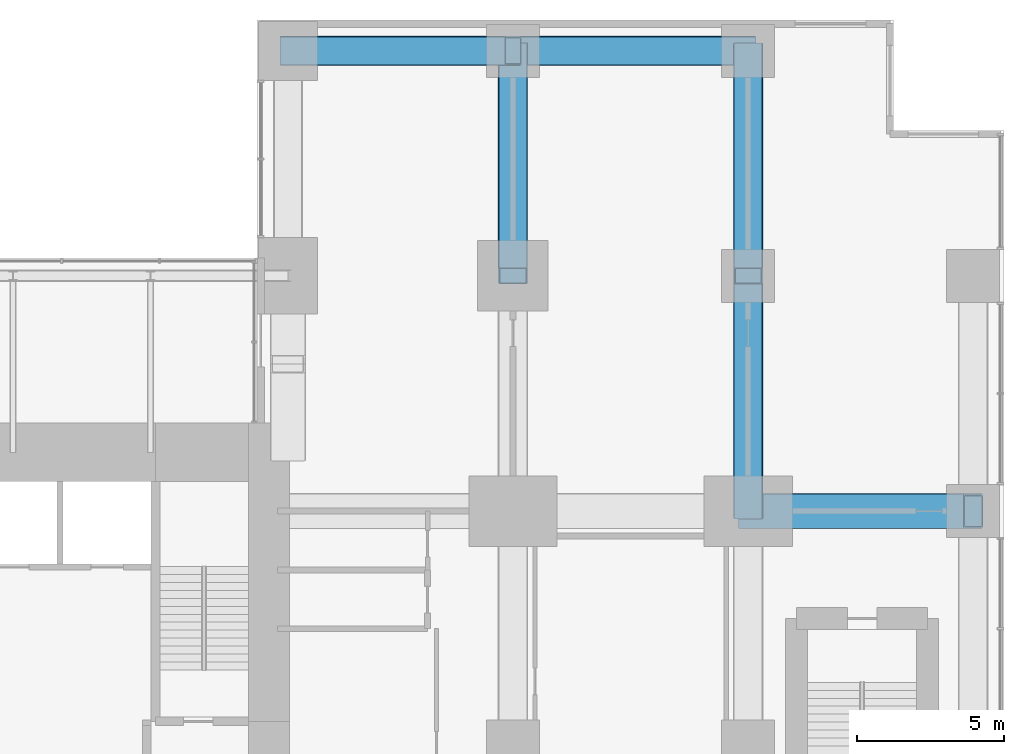
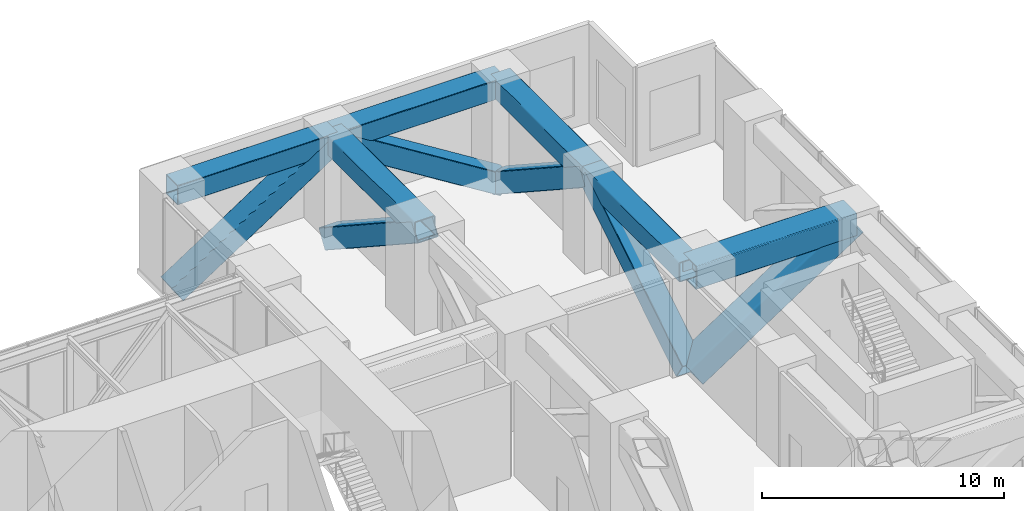
# One storey, part 10 of 19: 12 members.
"""IFC4 building model written with IfcOpenShell, lengths in metres."""

import ifcopenshell
import ifcopenshell.guid

model = None  # the IFC model being written
_history = None  # IfcOwnerHistory: only IFC2X3 demands one
_inside = {}  # id of a spatial element -> (the spatial element, [elements in it])
_under = {}  # id of a project, library or spatial element -> (it, [spatial elements below it])
_declared = {}  # id of a project -> (the project, [libraries it declares])
_typed = {}  # id of a type object -> (the type object, [elements of that type])
_made_of = {}  # id of a material, layer set ... -> (it, [elements and type objects made of it])


def new_model(schema):
    """Start an empty IFC model of exactly this schema.

    Asked for "IFC4X3", IfcOpenShell would pick the latest addendum, in which some entities
    have other attributes; the version numbers below select the first issue.
    IFC2X3 requires an IfcOwnerHistory on every rooted entity: one is made here for all.
    """
    global model, _history
    if schema == "IFC4X3":
        model = ifcopenshell.file(schema_version=(4, 3, 0, 0))
    else:
        model = ifcopenshell.file(schema=schema)
    _inside.clear()
    _under.clear()
    _declared.clear()
    _typed.clear()
    _made_of.clear()
    _history = None
    if model.schema == "IFC2X3":
        org = make("IfcOrganization", Name="unknown")
        user = make(
            "IfcPersonAndOrganization",
            ThePerson=make("IfcPerson", FamilyName="unknown"),
            TheOrganization=org,
        )
        app = make(
            "IfcApplication",
            ApplicationDeveloper=org,
            Version="unknown",
            ApplicationFullName="unknown",
            ApplicationIdentifier="unknown",
        )
        _history = make(
            "IfcOwnerHistory",
            OwningUser=user,
            OwningApplication=app,
            ChangeAction="ADDED",
            CreationDate=0,
        )
    return model


def make(cls, **values):
    """One entity of the class cls with the attributes given. An attribute that is None is left unset."""
    return model.create_entity(
        cls, **{name: value for name, value in values.items() if value is not None}
    )


def rooted(cls, **values):
    """An entity with a GlobalId (a new one), such as an element, a storey or a relation."""
    return make(cls, GlobalId=ifcopenshell.guid.new(), OwnerHistory=_history, **values)


def si_unit(unit_type, name, prefix=None):
    """IfcSIUnit, for example si_unit("LENGTHUNIT", "METRE", prefix="MILLI")."""
    return make("IfcSIUnit", UnitType=unit_type, Prefix=prefix, Name=name)


def assignment(units):
    """IfcUnitAssignment: the units of a project."""
    return None if units is None else make("IfcUnitAssignment", Units=units)


def point(xyz):
    """IfcCartesianPoint."""
    return None if xyz is None else make("IfcCartesianPoint", Coordinates=xyz)


def direction(xyz):
    """IfcDirection."""
    return None if xyz is None else make("IfcDirection", DirectionRatios=xyz)


def frame(location, z_axis=None, x_axis=None):
    """IfcAxis2Placement3D, a coordinate frame: its origin and axes. An axis left out is left unset."""
    return make(
        "IfcAxis2Placement3D",
        Location=point(location),
        Axis=direction(z_axis),
        RefDirection=direction(x_axis),
    )


def frame_2d(location, x_axis=None):
    """IfcAxis2Placement2D, a coordinate frame in the plane: its origin and x axis."""
    return make(
        "IfcAxis2Placement2D", Location=point(location), RefDirection=direction(x_axis)
    )


def origin():
    """The frame at (0, 0, 0) with its axes left unset."""
    return frame((0.0, 0.0, 0.0))


def origin_2d():
    """The frame at (0, 0) in the plane with its x axis left unset."""
    return frame_2d((0.0, 0.0))


def place(relative_to, where):
    """IfcLocalPlacement: puts the frame where relative to a parent placement (None: the world)."""
    return make(
        "IfcLocalPlacement", PlacementRelTo=relative_to, RelativePlacement=where
    )


def context(
    kind, dimensions, precision=None, world=None, true_north=None, identifier=None
):
    """IfcGeometricRepresentationContext, for example the 3D "Model" context."""
    return make(
        "IfcGeometricRepresentationContext",
        ContextIdentifier=identifier,
        ContextType=kind,
        CoordinateSpaceDimension=dimensions,
        Precision=precision,
        WorldCoordinateSystem=world,
        TrueNorth=true_north,
    )


def subcontext(parent, identifier, kind, view, scale=None):
    """IfcGeometricRepresentationSubContext, for example "Body" below "Model"."""
    return make(
        "IfcGeometricRepresentationSubContext",
        ContextIdentifier=identifier,
        ContextType=kind,
        ParentContext=parent,
        TargetScale=scale,
        TargetView=view,
    )


def project(units=None, contexts=None):
    """IfcProject with its units and contexts."""
    return rooted(
        "IfcProject",
        Name="project",
        RepresentationContexts=contexts,
        UnitsInContext=assignment(units),
    )


def spatial(cls, under=None, at=None, **own):
    """A site, building, storey or space (cls), placed at a placement, below another one or the project."""
    s = rooted(cls, ObjectPlacement=at, **own)
    if under is not None:
        _under.setdefault(under.id(), (under, []))[1].append(s)
    return s


def profile(cls, at=None, kind="AREA", **sizes):
    """A parametric profile (cls). Its sizes go by their IFC names, for example OverallWidth=200.0."""
    return make(cls, ProfileType=kind, Position=at, **sizes)


def hollow_rectangle(**sizes):
    """IfcRectangleHollowProfileDef."""
    return profile("IfcRectangleHollowProfileDef", **sizes)


def extrude(swept, where, along, depth):
    """IfcExtrudedAreaSolid: the profile swept, set in the frame where, extruded along a direction by depth."""
    return make(
        "IfcExtrudedAreaSolid",
        SweptArea=swept,
        Position=where,
        ExtrudedDirection=direction(along),
        Depth=depth,
    )


def shape(context_of_items, identifier, shape_type, items):
    """IfcShapeRepresentation: the items that make up one representation, for example the "Body"."""
    return make(
        "IfcShapeRepresentation",
        ContextOfItems=context_of_items,
        RepresentationIdentifier=identifier,
        RepresentationType=shape_type,
        Items=items,
    )


def material(Name=None, Category=None):
    """IfcMaterial."""
    return make("IfcMaterial", Name=Name, Category=Category)


def material_profile(
    of_material, cross_section, Name=None, Category=None, Priority=None
):
    """IfcMaterialProfile: a cross section and its material."""
    return make(
        "IfcMaterialProfile",
        Name=Name,
        Material=of_material,
        Profile=cross_section,
        Priority=Priority,
        Category=Category,
    )


def profile_set(profiles, Name=None, composite=None):
    """IfcMaterialProfileSet."""
    return make(
        "IfcMaterialProfileSet",
        Name=Name,
        MaterialProfiles=profiles,
        CompositeProfile=composite,
    )


def made_of(thing, what):
    """Note that an element or type object is made of a material, layer set ...; save() writes the relation."""
    if what is not None:
        _made_of.setdefault(what.id(), (what, []))[1].append(thing)
    return thing


def type_object(cls, material=None, **own):
    """A type object (cls), such as IfcWallType, which elements share."""
    return made_of(rooted(cls, **own), material)


def element(
    cls,
    number,
    at=None,
    inside=None,
    cuts=None,
    type_object=None,
    material=None,
    context=None,
    identifier="Body",
    shape_type=None,
    held_by="IfcProductDefinitionShape",
    body=None,
    shapes=None,
    **own,
):
    """One element of the class cls, such as IfcWall. Its Tag is "e" and its number.

    at: its placement. inside: the storey or other place that contains it. cuts: it is an
    opening in that element (IfcRelVoidsElement). A single representation is given by context,
    identifier, shape_type and body (its items); several are given by shapes. held_by: the class
    of the entity that holds the representations. save() writes the other relations.
    """
    e = rooted(cls, Tag="e%d" % number, ObjectPlacement=at, **own)
    if body is not None:
        shapes = [shape(context, identifier, shape_type, body)]
    if shapes is not None:
        e.Representation = make(held_by, Representations=shapes)
    if inside is not None:
        _inside.setdefault(inside.id(), (inside, []))[1].append(e)
    if cuts is not None:
        rooted(
            "IfcRelVoidsElement", RelatingBuildingElement=cuts, RelatedOpeningElement=e
        )
    if type_object is not None:
        _typed.setdefault(type_object.id(), (type_object, []))[1].append(e)
    return made_of(e, material)


def aggregate(whole, parts):
    """IfcRelAggregates: a whole, such as a stair, and the parts it consists of."""
    return rooted("IfcRelAggregates", RelatingObject=whole, RelatedObjects=parts)


def save(model, path):
    """Write the relations noted so far, then the file.

    IfcRelAggregates (storeys below a building ...), IfcRelContainedInSpatialStructure (elements
    in a storey), IfcRelDefinesByType, IfcRelAssociatesMaterial and IfcRelDeclares: one each for
    every whole, place, type object, material and project.
    """
    for whole, parts in _under.values():
        aggregate(whole, parts)
    for where, things in _inside.values():
        rooted(
            "IfcRelContainedInSpatialStructure",
            RelatedElements=things,
            RelatingStructure=where,
        )
    for kind, things in _typed.values():
        rooted("IfcRelDefinesByType", RelatedObjects=things, RelatingType=kind)
    for what, things in _made_of.values():
        rooted("IfcRelAssociatesMaterial", RelatedObjects=things, RelatingMaterial=what)
    for by, libraries in _declared.values():
        rooted("IfcRelDeclares", RelatingContext=by, RelatedDefinitions=libraries)
    model.write(path)


model = new_model("IFC4")

# Units and contexts
model_context = context("Model", 3, precision=1e-05, world=origin(), true_north=direction((0.0, 1.0)))
body_context = subcontext(model_context, "Body", "Model", "MODEL_VIEW")
ifc_project = project(units=[si_unit("LENGTHUNIT", "METRE"), si_unit("AREAUNIT", "SQUARE_METRE"), si_unit("VOLUMEUNIT", "CUBIC_METRE"), si_unit("PLANEANGLEUNIT", "RADIAN"), si_unit("MASSUNIT", "GRAM", prefix="KILO")], contexts=[model_context])

# Site, building, storey
site_placement = place(None, origin())
site = spatial("IfcSite", under=ifc_project, at=site_placement, CompositionType="ELEMENT")
building_placement = place(site_placement, origin())
building = spatial("IfcBuilding", under=site, at=building_placement, Name="Cleftline Residences", CompositionType="ELEMENT")
storey_placement = place(building_placement, frame((0.0, 0.0, 177.199951171875)))
storey = spatial("IfcBuildingStorey", under=building, at=storey_placement, Name="L46", CompositionType="ELEMENT", Elevation=177.199951171875)

# Members
ifc_material_1 = material(Name="Steel S355", Category="steel")
ifc_material_profile_1 = material_profile(ifc_material_1, hollow_rectangle(XDim=1.0, YDim=1.0, WallThickness=0.0400390625, InnerFilletRadius=0.0400390625, OuterFilletRadius=0.06005859375, at=origin_2d()))
ifc_profile_set_1 = profile_set([ifc_material_profile_1], Name="Steel S355")
member_type_1 = type_object("IfcMemberType", Name="BRACE BOX 1000X1000X40", PredefinedType="BRACE", material=ifc_profile_set_1)
member_1_placement = place(storey_placement, frame((50.0, 40.0, 4.25), z_axis=(0.0, 0.837062783189, -0.547106842399), x_axis=(0.0, 0.547106842399, 0.837062783189)))
element("IfcMember", 1, at=member_1_placement, inside=storey, type_object=member_type_1, Name="Belt truss diagonal", PredefinedType="BRACE", context=body_context, shape_type="SweptSolid", body=[
    extrude(hollow_rectangle(XDim=1.0, YDim=1.0, WallThickness=0.0400390625, InnerFilletRadius=0.0400390625, OuterFilletRadius=0.06005859375, at=origin_2d()), origin(), (0.0, 0.0, 1.0), 9.138916015625),
])
member_2_placement = place(storey_placement, frame((58.0, 32.0, -0.75), z_axis=(0.0, 0.847998304005, 0.529998940003), x_axis=(0.0, -0.529998940003, 0.847998304005)))
element("IfcMember", 2, at=member_2_placement, inside=storey, type_object=member_type_1, Name="Belt truss diagonal", PredefinedType="BRACE", context=body_context, shape_type="SweptSolid", body=[
    extrude(hollow_rectangle(XDim=1.0, YDim=1.0, WallThickness=0.0400390625, InnerFilletRadius=0.0400390625, OuterFilletRadius=0.06005859375, at=origin_2d()), origin(), (0.0, 0.0, 1.0), 9.43408203125),
])
for number, where, z_axis, x_axis, name in (
    (3, (58.0, 40.0, 4.25), (0.0, 0.837062783189, -0.547106842399), (0.0, 0.547106842399, 0.837062783189), "Belt truss diagonal"),
    (4, (42.35009765625, 47.64990234375, -0.75), (0.837062783189, 0.0, 0.547106842399), (-0.547106842399, 0.0, 0.837062783189), "Belt truss diagonal"),
):
    element("IfcMember", number, at=place(storey_placement, frame(where, z_axis=z_axis, x_axis=x_axis)), inside=storey, type_object=member_type_1, Name=name, PredefinedType="BRACE", context=body_context, shape_type="SweptSolid", body=[
        extrude(hollow_rectangle(XDim=1.0, YDim=1.0, WallThickness=0.0400390625, InnerFilletRadius=0.0400390625, OuterFilletRadius=0.06005859375, at=origin_2d()), origin(), (0.0, 0.0, 1.0), 9.138916015625),
    ])
member_3_placement = place(storey_placement, frame((50.0, 47.64990234375, 4.25), z_axis=(0.847998304005, 0.0, -0.529998940003), x_axis=(0.529998940003, 0.0, 0.847998304005)))
element("IfcMember", 5, at=member_3_placement, inside=storey, type_object=member_type_1, Name="Belt truss diagonal", PredefinedType="BRACE", context=body_context, shape_type="SweptSolid", body=[
    extrude(hollow_rectangle(XDim=1.0, YDim=1.0, WallThickness=0.0400390625, InnerFilletRadius=0.0400390625, OuterFilletRadius=0.06005859375, at=origin_2d()), origin(), (0.0, 0.0, 1.0), 9.43408203125),
])
ifc_material_2 = material(Name="Steel S355", Category="steel")
ifc_material_profile_2 = material_profile(ifc_material_2, hollow_rectangle(XDim=1.199951171875, YDim=1.199951171875, WallThickness=0.06005859375, InnerFilletRadius=0.06005859375, OuterFilletRadius=0.090087890625, at=origin_2d()))
ifc_profile_set_2 = profile_set([ifc_material_profile_2], Name="Steel S355")
member_type_2 = type_object("IfcMemberType", Name="BRACE BOX 1200X1200X60", PredefinedType="BRACE", material=ifc_profile_set_2)
member_4_placement = place(storey_placement, frame((58.0, 32.0, -0.849853515625), z_axis=(0.837062783189, 0.0, 0.547106842399), x_axis=(-0.547106842399, 0.0, 0.837062783189)))
element("IfcMember", 6, at=member_4_placement, inside=storey, type_object=member_type_2, Name="Outrigger truss diagonal", PredefinedType="BRACE", context=body_context, shape_type="SweptSolid", body=[
    extrude(hollow_rectangle(XDim=1.199951171875, YDim=1.199951171875, WallThickness=0.06005859375, InnerFilletRadius=0.06005859375, OuterFilletRadius=0.090087890625, at=origin_2d()), origin(), (0.0, 0.0, 1.0), 9.138916015625),
])
ifc_material_3 = material(Name="Steel S355", Category="steel")
ifc_material_profile_3 = material_profile(ifc_material_3, hollow_rectangle(XDim=1.0, YDim=1.0, WallThickness=0.0400390625, InnerFilletRadius=0.0400390625, OuterFilletRadius=0.06005859375, at=origin_2d()))
ifc_profile_set_3 = profile_set([ifc_material_profile_3], Name="Steel S355")
member_type_3 = type_object("IfcMemberType", Name="CHORD BOX 1000X1000X40", PredefinedType="CHORD", material=ifc_profile_set_3)
member_5_placement = place(storey_placement, frame((50.0, 40.0, 4.25), z_axis=(0.0, 1.0, 0.0), x_axis=(-1.0, 0.0, 0.0)))
element("IfcMember", 7, at=member_5_placement, inside=storey, type_object=member_type_3, Name="Belt truss top chord", PredefinedType="CHORD", context=body_context, shape_type="SweptSolid", body=[
    extrude(hollow_rectangle(XDim=1.0, YDim=1.0, WallThickness=0.0400390625, InnerFilletRadius=0.0400390625, OuterFilletRadius=0.06005859375, at=origin_2d()), origin(), (0.0, 0.0, 1.0), 7.64990234375),
])
member_6_placement = place(storey_placement, frame((58.0, 32.0, 4.25), z_axis=(0.0, 1.0, 0.0), x_axis=(-1.0, 0.0, 0.0)))
element("IfcMember", 8, at=member_6_placement, inside=storey, type_object=member_type_3, Name="Belt truss top chord", PredefinedType="CHORD", context=body_context, shape_type="SweptSolid", body=[
    extrude(hollow_rectangle(XDim=1.0, YDim=1.0, WallThickness=0.0400390625, InnerFilletRadius=0.0400390625, OuterFilletRadius=0.06005859375, at=origin_2d()), origin(), (0.0, 0.0, 1.0), 8.0),
])
for number, where, z_axis, x_axis, name in (
    (9, (58.0, 40.0, 4.25), (0.0, 1.0, 0.0), (-1.0, 0.0, 0.0), "Belt truss top chord"),
    (10, (42.35009765625, 47.64990234375, 4.25), (1.0, 0.0, 0.0), (0.0, 1.0, 0.0), "Belt truss top chord"),
):
    element("IfcMember", number, at=place(storey_placement, frame(where, z_axis=z_axis, x_axis=x_axis)), inside=storey, type_object=member_type_3, Name=name, PredefinedType="CHORD", context=body_context, shape_type="SweptSolid", body=[
        extrude(hollow_rectangle(XDim=1.0, YDim=1.0, WallThickness=0.0400390625, InnerFilletRadius=0.0400390625, OuterFilletRadius=0.06005859375, at=origin_2d()), origin(), (0.0, 0.0, 1.0), 7.64990234375),
    ])
member_7_placement = place(storey_placement, frame((50.0, 47.64990234375, 4.25), z_axis=(1.0, 0.0, 0.0), x_axis=(0.0, 1.0, 0.0)))
element("IfcMember", 11, at=member_7_placement, inside=storey, type_object=member_type_3, Name="Belt truss top chord", PredefinedType="CHORD", context=body_context, shape_type="SweptSolid", body=[
    extrude(hollow_rectangle(XDim=1.0, YDim=1.0, WallThickness=0.0400390625, InnerFilletRadius=0.0400390625, OuterFilletRadius=0.06005859375, at=origin_2d()), origin(), (0.0, 0.0, 1.0), 8.0),
])
ifc_material_4 = material(Name="Steel S355", Category="steel")
ifc_material_profile_4 = material_profile(ifc_material_4, hollow_rectangle(XDim=1.199951171875, YDim=1.199951171875, WallThickness=0.06005859375, InnerFilletRadius=0.06005859375, OuterFilletRadius=0.090087890625, at=origin_2d()))
ifc_profile_set_4 = profile_set([ifc_material_profile_4], Name="Steel S355")
member_type_4 = type_object("IfcMemberType", Name="CHORD BOX 1200X1200X60", PredefinedType="CHORD", material=ifc_profile_set_4)
member_8_placement = place(storey_placement, frame((58.0, 32.0, 4.150146484375), z_axis=(1.0, 0.0, 0.0), x_axis=(0.0, 1.0, 0.0)))
element("IfcMember", 12, at=member_8_placement, inside=storey, type_object=member_type_4, Name="Outrigger truss top chord", PredefinedType="CHORD", context=body_context, shape_type="SweptSolid", body=[
    extrude(hollow_rectangle(XDim=1.199951171875, YDim=1.199951171875, WallThickness=0.06005859375, InnerFilletRadius=0.06005859375, OuterFilletRadius=0.090087890625, at=origin_2d()), origin(), (0.0, 0.0, 1.0), 7.64990234375),
])

save(model, "model.ifc")
